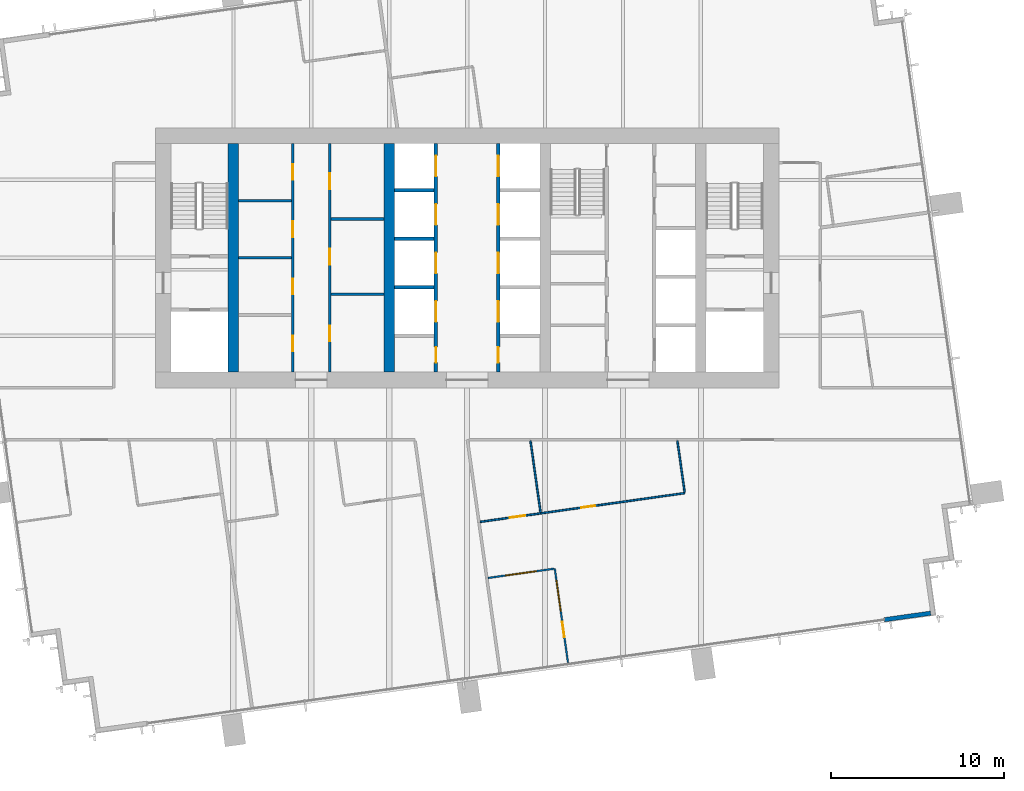
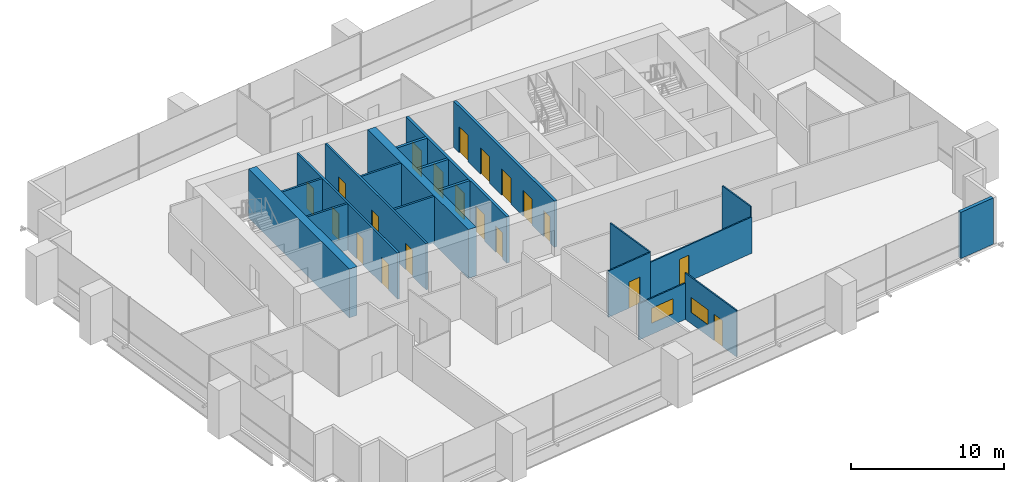
# One storey, part 10 of 14: 20 doors, 20 walls, 2 windows, 22 openings.
"""IFC4 building model written with IfcOpenShell, lengths in metres."""

from ifc_helpers import new_model, si_unit, direction, frame, frame_2d, origin, place, context, subcontext, project, spatial, rectangle, extrude, material, layer, layer_set, type_object, element, fill, save


model = new_model("IFC4")

# Units and contexts
model_context = context("Model", 3, precision=1e-05, world=origin(), true_north=direction((0.0, 1.0)))
body_context = subcontext(model_context, "Body", "Model", "MODEL_VIEW")
ifc_project = project(units=[si_unit("LENGTHUNIT", "METRE"), si_unit("AREAUNIT", "SQUARE_METRE"), si_unit("VOLUMEUNIT", "CUBIC_METRE"), si_unit("PLANEANGLEUNIT", "RADIAN"), si_unit("MASSUNIT", "GRAM", prefix="KILO")], contexts=[model_context])

# Site, building, storey
site_placement = place(None, origin())
site = spatial("IfcSite", under=ifc_project, at=site_placement, CompositionType="ELEMENT")
building_placement = place(site_placement, origin())
building = spatial("IfcBuilding", under=site, at=building_placement, Name="Rattan Terrace Tower", CompositionType="ELEMENT")
storey_placement = place(building_placement, frame((0.0, 0.0, 172.39990234375)))
storey = spatial("IfcBuildingStorey", under=building, at=storey_placement, Name="L39", CompositionType="ELEMENT", Elevation=172.39990234375)

# Wall, openings, doors
ifc_material_1 = material(Name="Gypsum board partition")
ifc_layer_1 = layer(ifc_material_1, 0.14990234375)
ifc_layer_set_1 = layer_set([ifc_layer_1], Name="Core partition 150")
wall_type_1 = type_object("IfcWallType", Name="Core partition 150", PredefinedType="PARTITIONING", material=ifc_layer_set_1)
wall_1_placement = place(storey_placement, frame((-10.074951171875, -6.60009765625, 0.0), z_axis=(0.0, 0.0, 1.0), x_axis=(0.0, 1.0, 0.0)))
wall_1 = element("IfcWall", 1, at=wall_1_placement, inside=storey, type_object=wall_type_1, Name="Core room wall", PredefinedType="PARTITIONING", context=body_context, shape_type="SweptSolid", body=[
    extrude(rectangle(XDim=13.2001953125, YDim=0.14990234375, at=frame_2d((6.60009765625, 0.0))), origin(), (0.0, 0.0, 1.0), 3.7001953125),
])
opening_1_placement = place(wall_1_placement, frame((1.199951171875, 0.0, 0.0)))
opening_1 = element("IfcOpeningElement", 2, at=opening_1_placement, cuts=wall_1, Name="Opening L39-D005", PredefinedType="OPENING", context=body_context, shape_type="SweptSolid", body=[
    extrude(rectangle(XDim=0.89990234375, YDim=2.10009765625, at=frame_2d((0.449951171875, 1.050048828125))), frame((0.0, 0.08544921875, 0.0), z_axis=(0.0, -1.0, 0.0), x_axis=(1.0, 0.0, 0.0)), (0.0, 0.0, 1.0), 0.1708984375),
])
opening_2_placement = place(wall_1_placement, frame((4.5, 0.0, 0.0)))
opening_2 = element("IfcOpeningElement", 3, at=opening_2_placement, cuts=wall_1, Name="Opening L39-D006", PredefinedType="OPENING", context=body_context, shape_type="SweptSolid", body=[
    extrude(rectangle(XDim=0.89990234375, YDim=2.10009765625, at=frame_2d((0.449951171875, 1.050048828125))), frame((0.0, 0.08544921875, 0.0), z_axis=(0.0, -1.0, 0.0), x_axis=(1.0, 0.0, 0.0)), (0.0, 0.0, 1.0), 0.1708984375),
])
opening_3_placement = place(wall_1_placement, frame((7.800048828125, 0.0, 0.0)))
opening_3 = element("IfcOpeningElement", 4, at=opening_3_placement, cuts=wall_1, Name="Opening L39-D007", PredefinedType="OPENING", context=body_context, shape_type="SweptSolid", body=[
    extrude(rectangle(XDim=0.89990234375, YDim=2.10009765625, at=frame_2d((0.449951171875, 1.050048828125))), frame((0.0, 0.08544921875, 0.0), z_axis=(0.0, -1.0, 0.0), x_axis=(1.0, 0.0, 0.0)), (0.0, 0.0, 1.0), 0.1708984375),
])
opening_4_placement = place(wall_1_placement, frame((11.10009765625, 0.0, 0.0)))
opening_4 = element("IfcOpeningElement", 5, at=opening_4_placement, cuts=wall_1, Name="Opening L39-D008", PredefinedType="OPENING", context=body_context, shape_type="SweptSolid", body=[
    extrude(rectangle(XDim=0.89990234375, YDim=2.10009765625, at=frame_2d((0.449951171875, 1.050048828125))), frame((0.0, 0.08544921875, 0.0), z_axis=(0.0, -1.0, 0.0), x_axis=(1.0, 0.0, 0.0)), (0.0, 0.0, 1.0), 0.1708984375),
])
ifc_material_2 = material(Name="Hollow-metal fire door leaf")
door_type_1 = type_object("IfcDoorType", Name="Core service room door 900", OperationType="NOTDEFINED", PredefinedType="DOOR", material=ifc_material_2)
door_1_placement = place(opening_1_placement, origin())
door_1 = element("IfcDoor", 6, at=door_1_placement, inside=storey, type_object=door_type_1, Name="Door L39-D005", OperationType="SINGLE_SWING_LEFT", OverallHeight=2.10009765625, OverallWidth=0.89990234375, PredefinedType="DOOR", context=body_context, shape_type="SweptSolid", body=[
    extrude(rectangle(XDim=0.89990234375, YDim=2.10009765625, at=frame_2d((0.449951171875, 1.050048828125))), frame((0.0, 0.02490234375, 0.0), z_axis=(0.0, -1.0, 0.0), x_axis=(1.0, 0.0, 0.0)), (0.0, 0.0, 1.0), 0.050048828125),
])
fill(opening_1, door_1)
door_2_placement = place(opening_2_placement, origin())
door_2 = element("IfcDoor", 7, at=door_2_placement, inside=storey, type_object=door_type_1, Name="Door L39-D006", OperationType="SINGLE_SWING_RIGHT", OverallHeight=2.10009765625, OverallWidth=0.89990234375, PredefinedType="DOOR", context=body_context, shape_type="SweptSolid", body=[
    extrude(rectangle(XDim=0.89990234375, YDim=2.10009765625, at=frame_2d((0.449951171875, 1.050048828125))), frame((0.0, 0.02490234375, 0.0), z_axis=(0.0, -1.0, 0.0), x_axis=(1.0, 0.0, 0.0)), (0.0, 0.0, 1.0), 0.050048828125),
])
fill(opening_2, door_2)
door_3_placement = place(opening_3_placement, origin())
door_3 = element("IfcDoor", 8, at=door_3_placement, inside=storey, type_object=door_type_1, Name="Door L39-D007", OperationType="SINGLE_SWING_LEFT", OverallHeight=2.10009765625, OverallWidth=0.89990234375, PredefinedType="DOOR", context=body_context, shape_type="SweptSolid", body=[
    extrude(rectangle(XDim=0.89990234375, YDim=2.10009765625, at=frame_2d((0.449951171875, 1.050048828125))), frame((0.0, 0.02490234375, 0.0), z_axis=(0.0, -1.0, 0.0), x_axis=(1.0, 0.0, 0.0)), (0.0, 0.0, 1.0), 0.050048828125),
])
fill(opening_3, door_3)
door_4_placement = place(opening_4_placement, origin())
door_4 = element("IfcDoor", 9, at=door_4_placement, inside=storey, type_object=door_type_1, Name="Door L39-D008", OperationType="SINGLE_SWING_RIGHT", OverallHeight=2.10009765625, OverallWidth=0.89990234375, PredefinedType="DOOR", context=body_context, shape_type="SweptSolid", body=[
    extrude(rectangle(XDim=0.89990234375, YDim=2.10009765625, at=frame_2d((0.449951171875, 1.050048828125))), frame((0.0, 0.02490234375, 0.0), z_axis=(0.0, -1.0, 0.0), x_axis=(1.0, 0.0, 0.0)), (0.0, 0.0, 1.0), 0.050048828125),
])
fill(opening_4, door_4)

# Walls
for number, where, z_axis, x_axis, name in (
    (10, (-13.199951171875, 0.0, 0.0), (0.0, 0.0, 1.0), (1.0, 0.0, 0.0), "Core room wall"),
    (11, (-13.199951171875, 3.300048828125, 0.0), (0.0, 0.0, 1.0), (1.0, 0.0, 0.0), "Core room wall"),
):
    element("IfcWall", number, at=place(storey_placement, frame(where, z_axis=z_axis, x_axis=x_axis)), inside=storey, type_object=wall_type_1, Name=name, PredefinedType="PARTITIONING", context=body_context, shape_type="SweptSolid", body=[
        extrude(rectangle(XDim=3.050048828125, YDim=0.14990234375, at=frame_2d((1.52490234375, 0.0))), origin(), (0.0, 0.0, 1.0), 3.7001953125),
    ])

# Wall, openings, doors
wall_2_placement = place(storey_placement, frame((-7.925048828125, -6.60009765625, 0.0), z_axis=(0.0, 0.0, 1.0), x_axis=(0.0, 1.0, 0.0)))
wall_2 = element("IfcWall", 12, at=wall_2_placement, inside=storey, type_object=wall_type_1, Name="Core room wall", PredefinedType="PARTITIONING", context=body_context, shape_type="SweptSolid", body=[
    extrude(rectangle(XDim=13.2001953125, YDim=0.14990234375, at=frame_2d((6.60009765625, 0.0))), origin(), (0.0, 0.0, 1.0), 3.7001953125),
])
opening_5_placement = place(wall_2_placement, frame((1.7939453125, 0.0, 0.0)))
opening_5 = element("IfcOpeningElement", 13, at=opening_5_placement, cuts=wall_2, Name="Opening L39-D009", PredefinedType="OPENING", context=body_context, shape_type="SweptSolid", body=[
    extrude(rectangle(XDim=0.89990234375, YDim=2.10009765625, at=frame_2d((0.449951171875, 1.050048828125))), frame((0.0, 0.08544921875, 0.0), z_axis=(0.0, -1.0, 0.0), x_axis=(1.0, 0.0, 0.0)), (0.0, 0.0, 1.0), 0.1708984375),
])
opening_6_placement = place(wall_2_placement, frame((6.216064453125, 0.0, 0.0)))
opening_6 = element("IfcOpeningElement", 14, at=opening_6_placement, cuts=wall_2, Name="Opening L39-D010", PredefinedType="OPENING", context=body_context, shape_type="SweptSolid", body=[
    extrude(rectangle(XDim=0.89990234375, YDim=2.10009765625, at=frame_2d((0.449951171875, 1.050048828125))), frame((0.0, 0.08544921875, 0.0), z_axis=(0.0, -1.0, 0.0), x_axis=(1.0, 0.0, 0.0)), (0.0, 0.0, 1.0), 0.1708984375),
])
opening_7_placement = place(wall_2_placement, frame((10.572021484375, 0.0, 0.0)))
opening_7 = element("IfcOpeningElement", 15, at=opening_7_placement, cuts=wall_2, Name="Opening L39-D011", PredefinedType="OPENING", context=body_context, shape_type="SweptSolid", body=[
    extrude(rectangle(XDim=0.89990234375, YDim=2.10009765625, at=frame_2d((0.449951171875, 1.050048828125))), frame((0.0, 0.08544921875, 0.0), z_axis=(0.0, -1.0, 0.0), x_axis=(1.0, 0.0, 0.0)), (0.0, 0.0, 1.0), 0.1708984375),
])
door_5_placement = place(opening_5_placement, origin())
door_5 = element("IfcDoor", 16, at=door_5_placement, inside=storey, type_object=door_type_1, Name="Door L39-D009", OperationType="SINGLE_SWING_LEFT", OverallHeight=2.10009765625, OverallWidth=0.89990234375, PredefinedType="DOOR", context=body_context, shape_type="SweptSolid", body=[
    extrude(rectangle(XDim=0.89990234375, YDim=2.10009765625, at=frame_2d((0.449951171875, 1.050048828125))), frame((0.0, 0.02490234375, 0.0), z_axis=(0.0, -1.0, 0.0), x_axis=(1.0, 0.0, 0.0)), (0.0, 0.0, 1.0), 0.050048828125),
])
fill(opening_5, door_5)
door_6_placement = place(opening_6_placement, origin())
door_6 = element("IfcDoor", 17, at=door_6_placement, inside=storey, type_object=door_type_1, Name="Door L39-D010", OperationType="SINGLE_SWING_RIGHT", OverallHeight=2.10009765625, OverallWidth=0.89990234375, PredefinedType="DOOR", context=body_context, shape_type="SweptSolid", body=[
    extrude(rectangle(XDim=0.89990234375, YDim=2.10009765625, at=frame_2d((0.449951171875, 1.050048828125))), frame((0.0, 0.02490234375, 0.0), z_axis=(0.0, -1.0, 0.0), x_axis=(1.0, 0.0, 0.0)), (0.0, 0.0, 1.0), 0.050048828125),
])
fill(opening_6, door_6)
door_7_placement = place(opening_7_placement, origin())
door_7 = element("IfcDoor", 18, at=door_7_placement, inside=storey, type_object=door_type_1, Name="Door L39-D011", OperationType="SINGLE_SWING_LEFT", OverallHeight=2.10009765625, OverallWidth=0.89990234375, PredefinedType="DOOR", context=body_context, shape_type="SweptSolid", body=[
    extrude(rectangle(XDim=0.89990234375, YDim=2.10009765625, at=frame_2d((0.449951171875, 1.050048828125))), frame((0.0, 0.02490234375, 0.0), z_axis=(0.0, -1.0, 0.0), x_axis=(1.0, 0.0, 0.0)), (0.0, 0.0, 1.0), 0.050048828125),
])
fill(opening_7, door_7)

# Walls
for number, where, z_axis, x_axis, name in (
    (19, (-7.85009765625, -2.112060546875, 0.0), (0.0, 0.0, 1.0), (1.0, 0.0, 0.0), "Core room wall"),
    (20, (-7.85009765625, 2.243896484375, 0.0), (0.0, 0.0, 1.0), (1.0, 0.0, 0.0), "Core room wall"),
):
    element("IfcWall", number, at=place(storey_placement, frame(where, z_axis=z_axis, x_axis=x_axis)), inside=storey, type_object=wall_type_1, Name=name, PredefinedType="PARTITIONING", context=body_context, shape_type="SweptSolid", body=[
        extrude(rectangle(XDim=3.050048828125, YDim=0.14990234375, at=frame_2d((1.52490234375, 0.0))), origin(), (0.0, 0.0, 1.0), 3.7001953125),
    ])
ifc_material_3 = material(Name="Concrete C60/75", Category="concrete")
ifc_layer_2 = layer(ifc_material_3, 0.60009765625)
ifc_layer_set_2 = layer_set([ifc_layer_2], Name="Core spine wall 600 C60/75")
wall_type_2 = type_object("IfcWallType", Name="Core spine wall 600 C60/75", PredefinedType="SHEAR", material=ifc_layer_set_2)
for number, where, z_axis, x_axis, name in (
    (21, (-13.5, -6.60009765625, -0.199951171875), (0.0, 0.0, 1.0), (0.0, 1.0, 0.0), "Core spine wall 1"),
    (22, (-4.5, -6.60009765625, -0.199951171875), (0.0, 0.0, 1.0), (0.0, 1.0, 0.0), "Core spine wall 2"),
):
    element("IfcWall", number, at=place(storey_placement, frame(where, z_axis=z_axis, x_axis=x_axis)), inside=storey, type_object=wall_type_2, Name=name, PredefinedType="SHEAR", context=body_context, shape_type="SweptSolid", body=[
        extrude(rectangle(XDim=13.2001953125, YDim=0.60009765625, at=frame_2d((6.60009765625, 0.0))), origin(), (0.0, 0.0, 1.0), 3.900146484375),
    ])
ifc_material_4 = material(Name="Insulated aluminium-clad stud wall", Category="aluminium")
ifc_layer_3 = layer(ifc_material_4, 0.25)
ifc_layer_set_3 = layer_set([ifc_layer_3], Name="Facade Riser Wall 250")
wall_type_3 = type_object("IfcWallType", Name="Facade Riser Wall 250", PredefinedType="SOLIDWALL", material=ifc_layer_set_3)
wall_3_placement = place(storey_placement, frame((24.08544921875, -20.892578125, 0.0), z_axis=(0.0, 0.0, 1.0), x_axis=(0.990255800966, 0.139260362823, 0.0)))
element("IfcWall", 23, at=wall_3_placement, inside=storey, type_object=wall_type_3, Name="Riser wall L39-1", PredefinedType="SOLIDWALL", context=body_context, shape_type="SweptSolid", body=[
    extrude(rectangle(XDim=2.705078125, YDim=0.25, at=frame_2d((1.3525390625, 0.0))), origin(), (0.0, 0.0, 1.0), 3.7001953125),
])

# Wall, opening, window
ifc_material_5 = material(Name="Gypsum board partition on steel studs", Category="steel")
ifc_layer_4 = layer(ifc_material_5, 0.10009765625)
ifc_layer_set_4 = layer_set([ifc_layer_4], Name="Floors Partition 100")
wall_type_4 = type_object("IfcWallType", Name="Floors Partition 100", PredefinedType="PARTITIONING", material=ifc_layer_set_4)
wall_4_placement = place(storey_placement, frame((5.010986328125, -17.948974609375, 0.0), z_axis=(0.0, 0.0, 1.0), x_axis=(-0.99029781958, -0.138961248322, 0.0)))
wall_4 = element("IfcWall", 24, at=wall_4_placement, inside=storey, type_object=wall_type_4, Name="pt-L39-035", PredefinedType="PARTITIONING", context=body_context, shape_type="SweptSolid", body=[
    extrude(rectangle(XDim=3.835205078125, YDim=0.10009765625, at=frame_2d((1.91748046875, 0.0))), origin(), (0.0, 0.0, 1.0), 2.900146484375),
])
opening_8_placement = place(wall_4_placement, frame((1.01806640625, 0.0, 0.89990234375)))
opening_8 = element("IfcOpeningElement", 25, at=opening_8_placement, cuts=wall_4, Name="Opening L39-W102", PredefinedType="OPENING", context=body_context, shape_type="SweptSolid", body=[
    extrude(rectangle(XDim=1.800048828125, YDim=1.199951171875, at=frame_2d((0.89990234375, 0.60009765625))), frame((0.0, 0.060546875, 0.0), z_axis=(0.0, -1.0, 0.0), x_axis=(1.0, 0.0, 0.0)), (0.0, 0.0, 1.0), 0.12109375),
])
ifc_material_6 = material(Name="Glass, clear, fixed in aluminium frame", Category="aluminium")
window_type = type_object("IfcWindowType", Name="Interior Vision Window 1800x1200", PartitioningType="SINGLE_PANEL", PredefinedType="WINDOW", material=ifc_material_6)
window_1_placement = place(opening_8_placement, origin())
window_1 = element("IfcWindow", 26, at=window_1_placement, inside=storey, type_object=window_type, Name="w-L39-102", OverallHeight=1.199951171875, OverallWidth=1.800048828125, PartitioningType="SINGLE_PANEL", PredefinedType="WINDOW", context=body_context, shape_type="SweptSolid", body=[
    extrude(rectangle(XDim=1.800048828125, YDim=1.199951171875, at=frame_2d((0.89990234375, 0.60009765625))), frame((0.0, 0.030029296875, 0.0), z_axis=(0.0, -1.0, 0.0), x_axis=(1.0, 0.0, 0.0)), (0.0, 0.0, 1.0), 0.06005859375),
])
fill(opening_8, window_1)

# Wall, openings, door, window
wall_5_placement = place(storey_placement, frame((5.822998046875, -23.367919921875, 0.0), z_axis=(0.0, 0.0, 1.0), x_axis=(-0.13906298859, 0.990283537783, 0.0)))
wall_5 = element("IfcWall", 27, at=wall_5_placement, inside=storey, type_object=wall_type_4, Name="pt-L39-036", PredefinedType="PARTITIONING", context=body_context, shape_type="SweptSolid", body=[
    extrude(rectangle(XDim=5.479248046875, YDim=0.10009765625, at=frame_2d((2.73974609375, 0.0))), origin(), (0.0, 0.0, 1.0), 3.7001953125),
])
opening_9_placement = place(wall_5_placement, frame((1.47412109375, 0.0, 0.0)))
opening_9 = element("IfcOpeningElement", 28, at=opening_9_placement, cuts=wall_5, Name="Opening L39-D107", PredefinedType="OPENING", context=body_context, shape_type="SweptSolid", body=[
    extrude(rectangle(XDim=0.89990234375, YDim=2.10009765625, at=frame_2d((0.449951171875, 1.050048828125))), frame((0.0, 0.060546875, 0.0), z_axis=(0.0, -1.0, 0.0), x_axis=(1.0, 0.0, 0.0)), (0.0, 0.0, 1.0), 0.12109375),
])
opening_10_placement = place(wall_5_placement, frame((3.001953125, 0.0, 0.89990234375)))
opening_10 = element("IfcOpeningElement", 29, at=opening_10_placement, cuts=wall_5, Name="Opening L39-W103", PredefinedType="OPENING", context=body_context, shape_type="SweptSolid", body=[
    extrude(rectangle(XDim=1.800048828125, YDim=1.199951171875, at=frame_2d((0.89990234375, 0.60009765625))), frame((0.0, 0.060546875, 0.0), z_axis=(0.0, -1.0, 0.0), x_axis=(1.0, 0.0, 0.0)), (0.0, 0.0, 1.0), 0.12109375),
])
ifc_material_7 = material(Name="Solid core timber door, painted", Category="wood")
door_type_2 = type_object("IfcDoorType", Name="Floors Door 900x2100", OperationType="NOTDEFINED", PredefinedType="DOOR", material=ifc_material_7)
door_8_placement = place(opening_9_placement, origin())
door_8 = element("IfcDoor", 30, at=door_8_placement, inside=storey, type_object=door_type_2, Name="d-L39-107", OperationType="SINGLE_SWING_LEFT", OverallHeight=2.10009765625, OverallWidth=0.89990234375, PredefinedType="DOOR", context=body_context, shape_type="SweptSolid", body=[
    extrude(rectangle(XDim=0.89990234375, YDim=2.10009765625, at=frame_2d((0.449951171875, 1.050048828125))), frame((0.0, 0.02490234375, 0.0), z_axis=(0.0, -1.0, 0.0), x_axis=(1.0, 0.0, 0.0)), (0.0, 0.0, 1.0), 0.050048828125),
])
fill(opening_9, door_8)
window_2_placement = place(opening_10_placement, origin())
window_2 = element("IfcWindow", 31, at=window_2_placement, inside=storey, type_object=window_type, Name="w-L39-103", OverallHeight=1.199951171875, OverallWidth=1.800048828125, PartitioningType="SINGLE_PANEL", PredefinedType="WINDOW", context=body_context, shape_type="SweptSolid", body=[
    extrude(rectangle(XDim=1.800048828125, YDim=1.199951171875, at=frame_2d((0.89990234375, 0.60009765625))), frame((0.0, 0.030029296875, 0.0), z_axis=(0.0, -1.0, 0.0), x_axis=(1.0, 0.0, 0.0)), (0.0, 0.0, 1.0), 0.06005859375),
])
fill(opening_10, window_2)

# Wall, opening, door
wall_6_placement = place(storey_placement, frame((0.758056640625, -15.241943359375, 0.0), z_axis=(0.0, 0.0, 1.0), x_axis=(0.990292126352, 0.139001814682, 0.0)))
wall_6 = element("IfcWall", 32, at=wall_6_placement, inside=storey, type_object=wall_type_4, Name="pt-L39-037", PredefinedType="PARTITIONING", context=body_context, shape_type="SweptSolid", body=[
    extrude(rectangle(XDim=3.50390625, YDim=0.10009765625, at=frame_2d((1.751953125, 0.0))), origin(), (0.0, 0.0, 1.0), 3.7001953125),
])
opening_11_placement = place(wall_6_placement, frame((1.722900390625, 0.0, 0.0)))
opening_11 = element("IfcOpeningElement", 33, at=opening_11_placement, cuts=wall_6, Name="Opening L39-D108", PredefinedType="OPENING", context=body_context, shape_type="SweptSolid", body=[
    extrude(rectangle(XDim=0.89990234375, YDim=2.10009765625, at=frame_2d((0.449951171875, 1.050048828125))), frame((0.0, 0.060546875, 0.0), z_axis=(0.0, -1.0, 0.0), x_axis=(1.0, 0.0, 0.0)), (0.0, 0.0, 1.0), 0.12109375),
])
door_9_placement = place(opening_11_placement, origin())
door_9 = element("IfcDoor", 34, at=door_9_placement, inside=storey, type_object=door_type_2, Name="d-L39-108", OperationType="SINGLE_SWING_RIGHT", OverallHeight=2.10009765625, OverallWidth=0.89990234375, PredefinedType="DOOR", context=body_context, shape_type="SweptSolid", body=[
    extrude(rectangle(XDim=0.89990234375, YDim=2.10009765625, at=frame_2d((0.449951171875, 1.050048828125))), frame((0.0, 0.02490234375, 0.0), z_axis=(0.0, -1.0, 0.0), x_axis=(1.0, 0.0, 0.0)), (0.0, 0.0, 1.0), 0.050048828125),
])
fill(opening_11, door_9)

wall_7_placement = place(storey_placement, frame((4.22802734375, -14.7548828125, 0.0), z_axis=(0.0, 0.0, 1.0), x_axis=(0.990267072018, 0.139180192835, 0.0)))
wall_7 = element("IfcWall", 35, at=wall_7_placement, inside=storey, type_object=wall_type_4, Name="pt-L39-038", PredefinedType="PARTITIONING", context=body_context, shape_type="SweptSolid", body=[
    extrude(rectangle(XDim=8.419921875, YDim=0.10009765625, at=frame_2d((4.2099609375, 0.0))), origin(), (0.0, 0.0, 1.0), 2.900146484375),
])
opening_12_placement = place(wall_7_placement, frame((2.385986328125, 0.0, 0.0)))
opening_12 = element("IfcOpeningElement", 36, at=opening_12_placement, cuts=wall_7, Name="Opening L39-D109", PredefinedType="OPENING", context=body_context, shape_type="SweptSolid", body=[
    extrude(rectangle(XDim=0.800048828125, YDim=2.10009765625, at=frame_2d((0.39990234375, 1.050048828125))), frame((0.0, 0.060546875, 0.0), z_axis=(0.0, -1.0, 0.0), x_axis=(1.0, 0.0, 0.0)), (0.0, 0.0, 1.0), 0.12109375),
])
ifc_material_8 = material(Name="Solid core timber door, painted", Category="wood")
door_type_3 = type_object("IfcDoorType", Name="Floors Store Door 800x2100", OperationType="NOTDEFINED", PredefinedType="DOOR", material=ifc_material_8)
door_10_placement = place(opening_12_placement, origin())
door_10 = element("IfcDoor", 37, at=door_10_placement, inside=storey, type_object=door_type_3, Name="d-L39-109", OperationType="SINGLE_SWING_LEFT", OverallHeight=2.10009765625, OverallWidth=0.800048828125, PredefinedType="DOOR", context=body_context, shape_type="SweptSolid", body=[
    extrude(rectangle(XDim=0.800048828125, YDim=2.10009765625, at=frame_2d((0.39990234375, 1.050048828125))), frame((0.0, 0.02490234375, 0.0), z_axis=(0.0, -1.0, 0.0), x_axis=(1.0, 0.0, 0.0)), (0.0, 0.0, 1.0), 0.050048828125),
])
fill(opening_12, door_10)

# Walls
wall_8_placement = place(storey_placement, frame((12.55908203125, -13.532958984375, 0.0), z_axis=(0.0, 0.0, 1.0), x_axis=(-0.138954956276, 0.990298702476, 0.0)))
element("IfcWall", 38, at=wall_8_placement, inside=storey, type_object=wall_type_4, Name="pt-L39-039", PredefinedType="PARTITIONING", context=body_context, shape_type="SweptSolid", body=[
    extrude(rectangle(XDim=2.993896484375, YDim=0.10009765625, at=frame_2d((1.4970703125, 0.0))), origin(), (0.0, 0.0, 1.0), 3.7001953125),
])
wall_9_placement = place(storey_placement, frame((3.658935546875, -10.568115234375, 0.0), z_axis=(0.0, 0.0, 1.0), x_axis=(0.139423291569, -0.990232874514, 0.0)))
element("IfcWall", 39, at=wall_9_placement, inside=storey, type_object=wall_type_4, Name="pt-L39-040", PredefinedType="PARTITIONING", context=body_context, shape_type="SweptSolid", body=[
    extrude(rectangle(XDim=4.174560546875, YDim=0.10009765625, at=frame_2d((2.08740234375, 0.0))), origin(), (0.0, 0.0, 1.0), 3.7001953125),
])

# Wall, openings, doors
ifc_material_9 = material(Name="Gypsum shaft wall system")
ifc_layer_5 = layer(ifc_material_9, 0.199951171875)
ifc_layer_set_5 = layer_set([ifc_layer_5], Name="Lift shaft wall 200")
wall_type_5 = type_object("IfcWallType", Name="Lift shaft wall 200", PredefinedType="PARTITIONING", material=ifc_layer_set_5)
wall_10_placement = place(storey_placement, frame((-1.800048828125, -6.60009765625, 0.0), z_axis=(0.0, 0.0, 1.0), x_axis=(0.0, 1.0, 0.0)))
wall_10 = element("IfcWall", 40, at=wall_10_placement, inside=storey, type_object=wall_type_5, Name="Lift shaft front wall", PredefinedType="PARTITIONING", context=body_context, shape_type="SweptSolid", body=[
    extrude(rectangle(XDim=13.2001953125, YDim=0.199951171875, at=frame_2d((6.60009765625, 0.0))), origin(), (0.0, 0.0, 1.0), 3.7001953125),
])
opening_13_placement = place(wall_10_placement, frame((0.550048828125, 0.0, 0.0)))
opening_13 = element("IfcOpeningElement", 41, at=opening_13_placement, cuts=wall_10, Name="Opening L39-D013", PredefinedType="OPENING", context=body_context, shape_type="SweptSolid", body=[
    extrude(rectangle(XDim=0.89990234375, YDim=2.10009765625, at=frame_2d((0.449951171875, 1.050048828125))), frame((0.0, 0.110595703125, 0.0), z_axis=(0.0, -1.0, 0.0), x_axis=(1.0, 0.0, 0.0)), (0.0, 0.0, 1.0), 0.220947265625),
])
opening_14_placement = place(wall_10_placement, frame((2.89990234375, 0.0, 0.0)))
opening_14 = element("IfcOpeningElement", 42, at=opening_14_placement, cuts=wall_10, Name="Opening L39-LD-HR1", PredefinedType="OPENING", context=body_context, shape_type="SweptSolid", body=[
    extrude(rectangle(XDim=1.199951171875, YDim=2.10009765625, at=frame_2d((0.60009765625, 1.050048828125))), frame((0.0, 0.110595703125, 0.0), z_axis=(0.0, -1.0, 0.0), x_axis=(1.0, 0.0, 0.0)), (0.0, 0.0, 1.0), 0.220947265625),
])
opening_15_placement = place(wall_10_placement, frame((5.699951171875, 0.0, 0.0)))
opening_15 = element("IfcOpeningElement", 43, at=opening_15_placement, cuts=wall_10, Name="Opening L39-LD-HR2", PredefinedType="OPENING", context=body_context, shape_type="SweptSolid", body=[
    extrude(rectangle(XDim=1.199951171875, YDim=2.10009765625, at=frame_2d((0.60009765625, 1.050048828125))), frame((0.0, 0.110595703125, 0.0), z_axis=(0.0, -1.0, 0.0), x_axis=(1.0, 0.0, 0.0)), (0.0, 0.0, 1.0), 0.220947265625),
])
opening_16_placement = place(wall_10_placement, frame((8.5, 0.0, 0.0)))
opening_16 = element("IfcOpeningElement", 44, at=opening_16_placement, cuts=wall_10, Name="Opening L39-LD-HR3", PredefinedType="OPENING", context=body_context, shape_type="SweptSolid", body=[
    extrude(rectangle(XDim=1.199951171875, YDim=2.10009765625, at=frame_2d((0.60009765625, 1.050048828125))), frame((0.0, 0.110595703125, 0.0), z_axis=(0.0, -1.0, 0.0), x_axis=(1.0, 0.0, 0.0)), (0.0, 0.0, 1.0), 0.220947265625),
])
opening_17_placement = place(wall_10_placement, frame((11.300048828125, 0.0, 0.0)))
opening_17 = element("IfcOpeningElement", 45, at=opening_17_placement, cuts=wall_10, Name="Opening L39-LD-HR4", PredefinedType="OPENING", context=body_context, shape_type="SweptSolid", body=[
    extrude(rectangle(XDim=1.199951171875, YDim=2.10009765625, at=frame_2d((0.60009765625, 1.050048828125))), frame((0.0, 0.110595703125, 0.0), z_axis=(0.0, -1.0, 0.0), x_axis=(1.0, 0.0, 0.0)), (0.0, 0.0, 1.0), 0.220947265625),
])
ifc_material_10 = material(Name="Brushed stainless landing door panel")
door_type_4 = type_object("IfcDoorType", Name="Core lift landing door 1200", OperationType="DOUBLE_DOOR_SLIDING", PredefinedType="DOOR", material=ifc_material_10)
door_11_placement = place(opening_14_placement, origin())
door_11 = element("IfcDoor", 46, at=door_11_placement, inside=storey, type_object=door_type_4, Name="Door L39-LD-HR1", OperationType="DOUBLE_DOOR_SLIDING", OverallHeight=2.10009765625, OverallWidth=1.199951171875, PredefinedType="DOOR", context=body_context, shape_type="SweptSolid", body=[
    extrude(rectangle(XDim=1.199951171875, YDim=2.10009765625, at=frame_2d((0.60009765625, 1.050048828125))), frame((0.0, 0.02490234375, 0.0), z_axis=(0.0, -1.0, 0.0), x_axis=(1.0, 0.0, 0.0)), (0.0, 0.0, 1.0), 0.050048828125),
])
fill(opening_14, door_11)
door_12_placement = place(opening_15_placement, origin())
door_12 = element("IfcDoor", 47, at=door_12_placement, inside=storey, type_object=door_type_4, Name="Door L39-LD-HR2", OperationType="DOUBLE_DOOR_SLIDING", OverallHeight=2.10009765625, OverallWidth=1.199951171875, PredefinedType="DOOR", context=body_context, shape_type="SweptSolid", body=[
    extrude(rectangle(XDim=1.199951171875, YDim=2.10009765625, at=frame_2d((0.60009765625, 1.050048828125))), frame((0.0, 0.02490234375, 0.0), z_axis=(0.0, -1.0, 0.0), x_axis=(1.0, 0.0, 0.0)), (0.0, 0.0, 1.0), 0.050048828125),
])
fill(opening_15, door_12)
door_13_placement = place(opening_16_placement, origin())
door_13 = element("IfcDoor", 48, at=door_13_placement, inside=storey, type_object=door_type_4, Name="Door L39-LD-HR3", OperationType="DOUBLE_DOOR_SLIDING", OverallHeight=2.10009765625, OverallWidth=1.199951171875, PredefinedType="DOOR", context=body_context, shape_type="SweptSolid", body=[
    extrude(rectangle(XDim=1.199951171875, YDim=2.10009765625, at=frame_2d((0.60009765625, 1.050048828125))), frame((0.0, 0.02490234375, 0.0), z_axis=(0.0, -1.0, 0.0), x_axis=(1.0, 0.0, 0.0)), (0.0, 0.0, 1.0), 0.050048828125),
])
fill(opening_16, door_13)
door_14_placement = place(opening_17_placement, origin())
door_14 = element("IfcDoor", 49, at=door_14_placement, inside=storey, type_object=door_type_4, Name="Door L39-LD-HR4", OperationType="DOUBLE_DOOR_SLIDING", OverallHeight=2.10009765625, OverallWidth=1.199951171875, PredefinedType="DOOR", context=body_context, shape_type="SweptSolid", body=[
    extrude(rectangle(XDim=1.199951171875, YDim=2.10009765625, at=frame_2d((0.60009765625, 1.050048828125))), frame((0.0, 0.02490234375, 0.0), z_axis=(0.0, -1.0, 0.0), x_axis=(1.0, 0.0, 0.0)), (0.0, 0.0, 1.0), 0.050048828125),
])
fill(opening_17, door_14)
ifc_material_11 = material(Name="Hollow-metal fire door leaf")
door_type_5 = type_object("IfcDoorType", Name="Core riser door 900", OperationType="NOTDEFINED", PredefinedType="DOOR", material=ifc_material_11)
door_15_placement = place(opening_13_placement, origin())
door_15 = element("IfcDoor", 50, at=door_15_placement, inside=storey, type_object=door_type_5, Name="Door L39-D013", OperationType="SINGLE_SWING_LEFT", OverallHeight=2.10009765625, OverallWidth=0.89990234375, PredefinedType="DOOR", context=body_context, shape_type="SweptSolid", body=[
    extrude(rectangle(XDim=0.89990234375, YDim=2.10009765625, at=frame_2d((0.449951171875, 1.050048828125))), frame((0.0, 0.02490234375, 0.0), z_axis=(0.0, -1.0, 0.0), x_axis=(1.0, 0.0, 0.0)), (0.0, 0.0, 1.0), 0.050048828125),
])
fill(opening_13, door_15)

wall_11_placement = place(storey_placement, frame((1.800048828125, -6.60009765625, 0.0), z_axis=(0.0, 0.0, 1.0), x_axis=(0.0, 1.0, 0.0)))
wall_11 = element("IfcWall", 51, at=wall_11_placement, inside=storey, type_object=wall_type_5, Name="Lift shaft front wall", PredefinedType="PARTITIONING", context=body_context, shape_type="SweptSolid", body=[
    extrude(rectangle(XDim=13.2001953125, YDim=0.199951171875, at=frame_2d((6.60009765625, 0.0))), origin(), (0.0, 0.0, 1.0), 3.7001953125),
])
opening_18_placement = place(wall_11_placement, frame((0.550048828125, 0.0, 0.0)))
opening_18 = element("IfcOpeningElement", 52, at=opening_18_placement, cuts=wall_11, Name="Opening L39-D014", PredefinedType="OPENING", context=body_context, shape_type="SweptSolid", body=[
    extrude(rectangle(XDim=0.89990234375, YDim=2.10009765625, at=frame_2d((0.449951171875, 1.050048828125))), frame((0.0, 0.110595703125, 0.0), z_axis=(0.0, -1.0, 0.0), x_axis=(1.0, 0.0, 0.0)), (0.0, 0.0, 1.0), 0.220947265625),
])
opening_19_placement = place(wall_11_placement, frame((2.89990234375, 0.0, 0.0)))
opening_19 = element("IfcOpeningElement", 53, at=opening_19_placement, cuts=wall_11, Name="Opening L39-LD-HR5", PredefinedType="OPENING", context=body_context, shape_type="SweptSolid", body=[
    extrude(rectangle(XDim=1.199951171875, YDim=2.10009765625, at=frame_2d((0.60009765625, 1.050048828125))), frame((0.0, 0.110595703125, 0.0), z_axis=(0.0, -1.0, 0.0), x_axis=(1.0, 0.0, 0.0)), (0.0, 0.0, 1.0), 0.220947265625),
])
opening_20_placement = place(wall_11_placement, frame((5.699951171875, 0.0, 0.0)))
opening_20 = element("IfcOpeningElement", 54, at=opening_20_placement, cuts=wall_11, Name="Opening L39-LD-HR6", PredefinedType="OPENING", context=body_context, shape_type="SweptSolid", body=[
    extrude(rectangle(XDim=1.199951171875, YDim=2.10009765625, at=frame_2d((0.60009765625, 1.050048828125))), frame((0.0, 0.110595703125, 0.0), z_axis=(0.0, -1.0, 0.0), x_axis=(1.0, 0.0, 0.0)), (0.0, 0.0, 1.0), 0.220947265625),
])
opening_21_placement = place(wall_11_placement, frame((8.5, 0.0, 0.0)))
opening_21 = element("IfcOpeningElement", 55, at=opening_21_placement, cuts=wall_11, Name="Opening L39-LD-HR7", PredefinedType="OPENING", context=body_context, shape_type="SweptSolid", body=[
    extrude(rectangle(XDim=1.199951171875, YDim=2.10009765625, at=frame_2d((0.60009765625, 1.050048828125))), frame((0.0, 0.110595703125, 0.0), z_axis=(0.0, -1.0, 0.0), x_axis=(1.0, 0.0, 0.0)), (0.0, 0.0, 1.0), 0.220947265625),
])
opening_22_placement = place(wall_11_placement, frame((11.300048828125, 0.0, 0.0)))
opening_22 = element("IfcOpeningElement", 56, at=opening_22_placement, cuts=wall_11, Name="Opening L39-LD-HR8", PredefinedType="OPENING", context=body_context, shape_type="SweptSolid", body=[
    extrude(rectangle(XDim=1.199951171875, YDim=2.10009765625, at=frame_2d((0.60009765625, 1.050048828125))), frame((0.0, 0.110595703125, 0.0), z_axis=(0.0, -1.0, 0.0), x_axis=(1.0, 0.0, 0.0)), (0.0, 0.0, 1.0), 0.220947265625),
])
door_16_placement = place(opening_19_placement, origin())
door_16 = element("IfcDoor", 57, at=door_16_placement, inside=storey, type_object=door_type_4, Name="Door L39-LD-HR5", OperationType="DOUBLE_DOOR_SLIDING", OverallHeight=2.10009765625, OverallWidth=1.199951171875, PredefinedType="DOOR", context=body_context, shape_type="SweptSolid", body=[
    extrude(rectangle(XDim=1.199951171875, YDim=2.10009765625, at=frame_2d((0.60009765625, 1.050048828125))), frame((0.0, 0.02490234375, 0.0), z_axis=(0.0, -1.0, 0.0), x_axis=(1.0, 0.0, 0.0)), (0.0, 0.0, 1.0), 0.050048828125),
])
fill(opening_19, door_16)
door_17_placement = place(opening_20_placement, origin())
door_17 = element("IfcDoor", 58, at=door_17_placement, inside=storey, type_object=door_type_4, Name="Door L39-LD-HR6", OperationType="DOUBLE_DOOR_SLIDING", OverallHeight=2.10009765625, OverallWidth=1.199951171875, PredefinedType="DOOR", context=body_context, shape_type="SweptSolid", body=[
    extrude(rectangle(XDim=1.199951171875, YDim=2.10009765625, at=frame_2d((0.60009765625, 1.050048828125))), frame((0.0, 0.02490234375, 0.0), z_axis=(0.0, -1.0, 0.0), x_axis=(1.0, 0.0, 0.0)), (0.0, 0.0, 1.0), 0.050048828125),
])
fill(opening_20, door_17)
door_18_placement = place(opening_21_placement, origin())
door_18 = element("IfcDoor", 59, at=door_18_placement, inside=storey, type_object=door_type_4, Name="Door L39-LD-HR7", OperationType="DOUBLE_DOOR_SLIDING", OverallHeight=2.10009765625, OverallWidth=1.199951171875, PredefinedType="DOOR", context=body_context, shape_type="SweptSolid", body=[
    extrude(rectangle(XDim=1.199951171875, YDim=2.10009765625, at=frame_2d((0.60009765625, 1.050048828125))), frame((0.0, 0.02490234375, 0.0), z_axis=(0.0, -1.0, 0.0), x_axis=(1.0, 0.0, 0.0)), (0.0, 0.0, 1.0), 0.050048828125),
])
fill(opening_21, door_18)
door_19_placement = place(opening_22_placement, origin())
door_19 = element("IfcDoor", 60, at=door_19_placement, inside=storey, type_object=door_type_4, Name="Door L39-LD-HR8", OperationType="DOUBLE_DOOR_SLIDING", OverallHeight=2.10009765625, OverallWidth=1.199951171875, PredefinedType="DOOR", context=body_context, shape_type="SweptSolid", body=[
    extrude(rectangle(XDim=1.199951171875, YDim=2.10009765625, at=frame_2d((0.60009765625, 1.050048828125))), frame((0.0, 0.02490234375, 0.0), z_axis=(0.0, -1.0, 0.0), x_axis=(1.0, 0.0, 0.0)), (0.0, 0.0, 1.0), 0.050048828125),
])
fill(opening_22, door_19)
door_20_placement = place(opening_18_placement, origin())
door_20 = element("IfcDoor", 61, at=door_20_placement, inside=storey, type_object=door_type_5, Name="Door L39-D014", OperationType="SINGLE_SWING_RIGHT", OverallHeight=2.10009765625, OverallWidth=0.89990234375, PredefinedType="DOOR", context=body_context, shape_type="SweptSolid", body=[
    extrude(rectangle(XDim=0.89990234375, YDim=2.10009765625, at=frame_2d((0.449951171875, 1.050048828125))), frame((0.0, 0.02490234375, 0.0), z_axis=(0.0, -1.0, 0.0), x_axis=(1.0, 0.0, 0.0)), (0.0, 0.0, 1.0), 0.050048828125),
])
fill(opening_18, door_20)

# Walls
for number, where, z_axis, x_axis, name in (
    (62, (-4.199951171875, -1.699951171875, 0.0), (0.0, 0.0, 1.0), (1.0, 0.0, 0.0), "Lift shaft wall"),
    (63, (-4.199951171875, 1.10009765625, 0.0), (0.0, 0.0, 1.0), (1.0, 0.0, 0.0), "Lift shaft wall"),
    (64, (-4.199951171875, 3.89990234375, 0.0), (0.0, 0.0, 1.0), (1.0, 0.0, 0.0), "Lift shaft wall"),
):
    element("IfcWall", number, at=place(storey_placement, frame(where, z_axis=z_axis, x_axis=x_axis)), inside=storey, type_object=wall_type_5, Name=name, PredefinedType="PARTITIONING", context=body_context, shape_type="SweptSolid", body=[
        extrude(rectangle(XDim=2.300048828125, YDim=0.199951171875, at=frame_2d((1.14990234375, 0.0))), origin(), (0.0, 0.0, 1.0), 3.7001953125),
    ])

save(model, "model.ifc")
